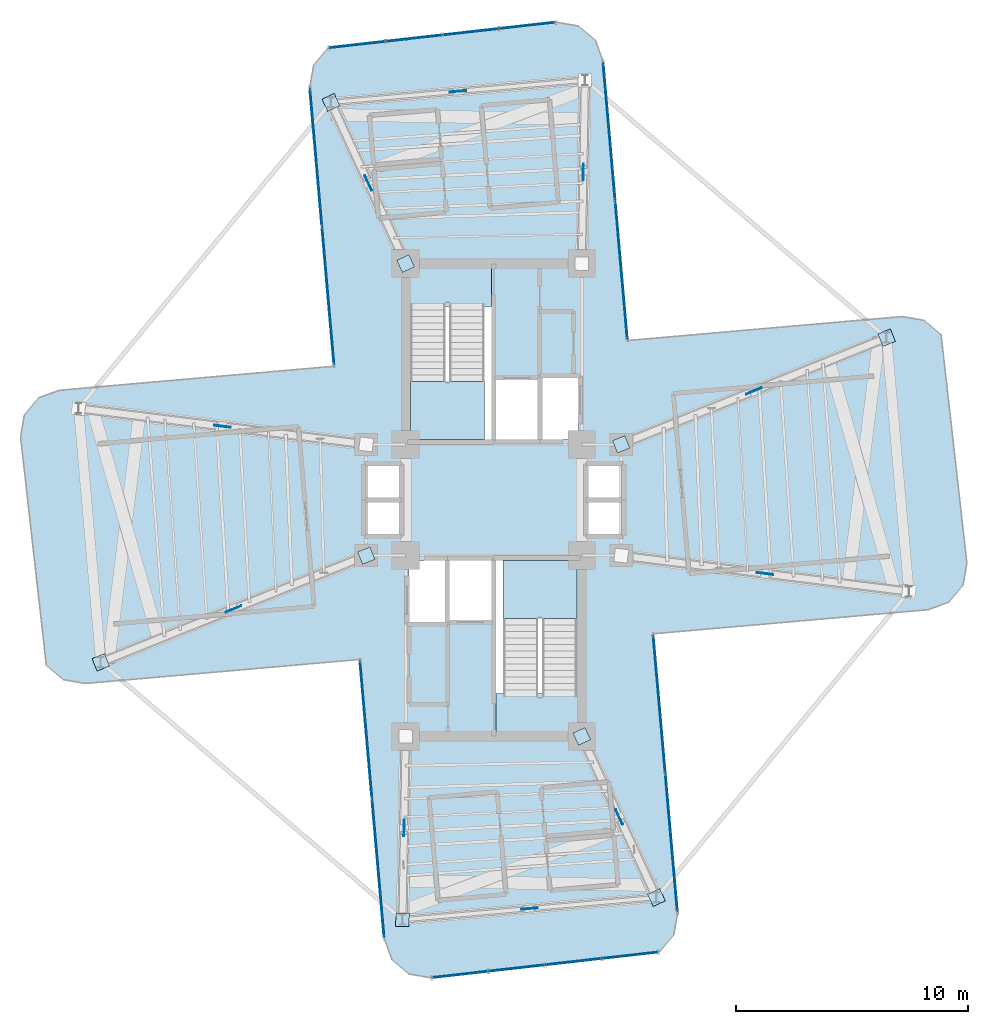
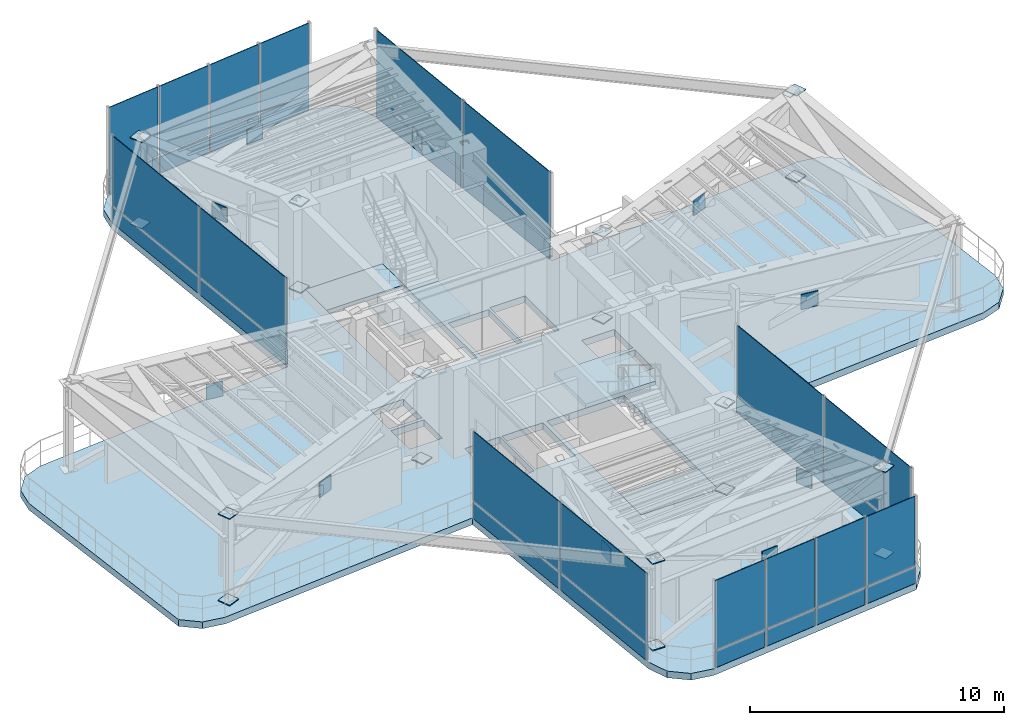
# One storey, part 12 of 17: 60 plates, 5 slabs, 8 elements without a shape of their own.
"""IFC4 building model written with IfcOpenShell, lengths in metres."""

from ifc_helpers import new_model, si_unit, direction, frame, origin, origin_2d, place, context, subcontext, project, spatial, polyline, rectangle, outline, extrude, source, transform, mapped, material, layer, layer_set, type_object, element, aggregate, save


model = new_model("IFC4")

# Units and contexts
model_context = context("Model", 3, precision=1e-05, world=origin(), true_north=direction((0.0, 1.0)))
body_context = subcontext(model_context, "Body", "Model", "MODEL_VIEW")
ifc_project = project(units=[si_unit("LENGTHUNIT", "METRE"), si_unit("AREAUNIT", "SQUARE_METRE"), si_unit("VOLUMEUNIT", "CUBIC_METRE"), si_unit("PLANEANGLEUNIT", "RADIAN"), si_unit("MASSUNIT", "GRAM", prefix="KILO")], contexts=[model_context])

# Site, building, storey
site_placement = place(None, origin())
site = spatial("IfcSite", under=ifc_project, at=site_placement, CompositionType="ELEMENT")
building_placement = place(site_placement, origin())
building = spatial("IfcBuilding", under=site, at=building_placement, Name="Sahyath Konkavel Grand Hotel", CompositionType="ELEMENT")
storey_placement = place(building_placement, frame((0.0, 0.0, 202.0)))
storey = spatial("IfcBuildingStorey", under=building, at=storey_placement, Name="L56", CompositionType="ELEMENT", Elevation=202.0)

# Slab
ifc_material_1 = material(Name="Concrete C50/60", Category="concrete")
ifc_layer_1 = layer(ifc_material_1, 0.320068359375)
ifc_layer_set_1 = layer_set([ifc_layer_1], Name="Concrete C50/60")
slab_type_1 = type_object("IfcSlabType", Name="SLB-320", PredefinedType="FLOOR", material=ifc_layer_set_1)
slab_1_placement = place(storey_placement, frame((0.0, 0.0, -0.320068359375)))
element("IfcSlab", 1, at=slab_1_placement, inside=storey, type_object=slab_type_1, Name="L56 Structural Floor Slab", PredefinedType="FLOOR", context=body_context, shape_type="SweptSolid", body=[
    extrude(outline(polyline([(6.87939453125, -5.7724609375), (18.73388671875, -4.735107421875), (19.6337890625, -4.40771484375), (20.24951171875, -3.674072265625), (20.415771484375, -2.73095703125), (19.3037109375, 7.134521484375), (18.5703125, 7.75), (17.627197265625, 7.91650390625), (5.7724609375, 6.87939453125), (4.7177734375, 18.93310546875), (4.390380859375, 19.8330078125), (3.65673828125, 20.44873046875), (2.713623046875, 20.614990234375), (-7.152099609375, 19.5029296875), (-7.767578125, 18.769287109375), (-7.933837890625, 17.826416015625), (-6.87939453125, 5.7724609375), (-18.73388671875, 4.735107421875), (-19.6337890625, 4.40771484375), (-20.24951171875, 3.674072265625), (-20.415771484375, 2.73095703125), (-19.3037109375, -7.134521484375), (-18.5703125, -7.75), (-17.627197265625, -7.91650390625), (-5.7724609375, -6.87939453125), (-4.7177734375, -18.93310546875), (-4.390380859375, -19.8330078125), (-3.65673828125, -20.44873046875), (-2.713623046875, -20.614990234375), (7.152099609375, -19.5029296875), (7.767578125, -18.769287109375), (7.933837890625, -17.826416015625), (6.87939453125, -5.7724609375)]), holes=[polyline([(-3.6201171875, 2.580078125), (-0.10009765625, 2.580078125), (-0.10009765625, 10.02001953125), (-3.6201171875, 10.02001953125), (-3.6201171875, 2.580078125)]), polyline([(0.10009765625, -10.02001953125), (3.6201171875, -10.02001953125), (3.6201171875, -2.580078125), (0.10009765625, -2.580078125), (0.10009765625, -10.02001953125)]), polyline([(0.10009765625, 2.60009765625), (1.949951171875, 2.60009765625), (1.949951171875, 5.199951171875), (0.10009765625, 5.199951171875), (0.10009765625, 2.60009765625)]), polyline([(-1.949951171875, -5.199951171875), (-0.10009765625, -5.199951171875), (-0.10009765625, -2.60009765625), (-1.949951171875, -2.60009765625), (-1.949951171875, -5.199951171875)]), polyline([(2.050048828125, 2.60009765625), (3.64990234375, 2.60009765625), (3.64990234375, 5.300048828125), (2.050048828125, 5.300048828125), (2.050048828125, 2.60009765625)]), polyline([(-3.64990234375, -5.300048828125), (-2.050048828125, -5.300048828125), (-2.050048828125, -2.60009765625), (-3.64990234375, -2.60009765625), (-3.64990234375, -5.300048828125)]), polyline([(4.050048828125, 0.080078125), (5.550048828125, 0.080078125), (5.550048828125, 1.5400390625), (4.050048828125, 1.5400390625), (4.050048828125, 0.080078125)]), polyline([(4.050048828125, -1.5400390625), (5.550048828125, -1.5400390625), (5.550048828125, -0.080078125), (4.050048828125, -0.080078125), (4.050048828125, -1.5400390625)]), polyline([(-5.550048828125, 0.080078125), (-4.050048828125, 0.080078125), (-4.050048828125, 1.5400390625), (-5.550048828125, 1.5400390625), (-5.550048828125, 0.080078125)]), polyline([(-5.550048828125, -1.5400390625), (-4.050048828125, -1.5400390625), (-4.050048828125, -0.080078125), (-5.550048828125, -0.080078125), (-5.550048828125, -1.5400390625)])]), origin(), (0.0, 0.0, 1.0), 0.320068359375),
])

# Stair, slab
ifc_material_2 = material(Name="Concrete C40/50", Category="concrete")
stair_type = type_object("IfcStairType", Name="STR-ST16-450", PredefinedType="HALF_TURN_STAIR", material=ifc_material_2)
stair_1_placement = place(storey_placement, origin())
stair_1 = element("IfcStair", 2, at=stair_1_placement, inside=storey, type_object=stair_type, Name="L56 North Core Smokeproof Exit Stair ST-1", PredefinedType="HALF_TURN_STAIR")
ifc_layer_2 = layer(ifc_material_2, 0.199951171875)
ifc_layer_set_2 = layer_set([ifc_layer_2], Name="Concrete C40/50")
slab_type_2 = type_object("IfcSlabType", Name="SLB-STAIR-LND", PredefinedType="LANDING", material=ifc_layer_set_2)
slab_2_placement = place(storey_placement, frame((0.0, 0.0, 2.050048828125)))
slab_2 = element("IfcSlab", 3, at=slab_2_placement, type_object=slab_type_2, Name="ST-1 landing 1", PredefinedType="LANDING", context=body_context, shape_type="SweptSolid", body=[
    extrude(outline(polyline([(-3.60009765625, 5.1201171875), (-3.60009765625, 2.60009765625), (-0.39990234375, 2.60009765625), (-0.39990234375, 5.1201171875), (-3.60009765625, 5.1201171875)])), origin(), (0.0, 0.0, 1.0), 0.199951171875),
])
aggregate(stair_1, [slab_2])

stair_2_placement = place(storey_placement, origin())
stair_2 = element("IfcStair", 4, at=stair_2_placement, inside=storey, type_object=stair_type, Name="L56 South Core Smokeproof Exit Stair ST-2", PredefinedType="HALF_TURN_STAIR")
slab_3_placement = place(storey_placement, frame((0.0, 0.0, 2.050048828125)))
slab_3 = element("IfcSlab", 5, at=slab_3_placement, type_object=slab_type_2, Name="ST-2 landing 1", PredefinedType="LANDING", context=body_context, shape_type="SweptSolid", body=[
    extrude(outline(polyline([(3.60009765625, -5.1201171875), (3.60009765625, -2.60009765625), (0.39990234375, -2.60009765625), (0.39990234375, -5.1201171875), (3.60009765625, -5.1201171875)])), origin(), (0.0, 0.0, 1.0), 0.199951171875),
])
aggregate(stair_2, [slab_3])

# Slabs
slab_4_placement = place(storey_placement, frame((0.0, 0.0, -0.199951171875)))
element("IfcSlab", 6, at=slab_4_placement, inside=storey, type_object=slab_type_2, Name="L56 Stair ST-1 Floor Landing Slab", PredefinedType="LANDING", context=body_context, shape_type="SweptSolid", body=[
    extrude(outline(polyline([(-3.6201171875, 8.35009765625), (-0.10009765625, 8.35009765625), (-0.10009765625, 10.02001953125), (-3.6201171875, 10.02001953125), (-3.6201171875, 8.35009765625)])), origin(), (0.0, 0.0, 1.0), 0.199951171875),
])
slab_5_placement = place(storey_placement, frame((0.0, 0.0, -0.199951171875)))
element("IfcSlab", 7, at=slab_5_placement, inside=storey, type_object=slab_type_2, Name="L56 Stair ST-2 Floor Landing Slab", PredefinedType="LANDING", context=body_context, shape_type="SweptSolid", body=[
    extrude(outline(polyline([(0.10009765625, -10.02001953125), (3.6201171875, -10.02001953125), (3.6201171875, -8.35009765625), (0.10009765625, -8.35009765625), (0.10009765625, -10.02001953125)])), origin(), (0.0, 0.0, 1.0), 0.199951171875),
])

# Plates
ifc_material_3 = material(Name="Steel E450", Category="steel")
plate_type_1 = type_object("IfcPlateType", Name="GUSSET-NODE-40", PredefinedType="USERDEFINED", material=ifc_material_3)
shared_shape_1 = source(origin(), body_context, "Body", "SweptSolid", [
    extrude(rectangle(XDim=0.719970703125, YDim=0.0400390625, at=origin_2d()), origin(), (0.0, 0.0, 1.0), 0.719970703125),
])
for number, where, z_axis, x_axis, name in (
    (8, (11.706298828125, -3.177001953125, 1.77001953125), (0.0, 0.0, 1.0), (0.992256248897, -0.124207634727, 0.0), "L56 Core Outrigger Truss EA X-Crossing Node Gusset Plate"),
    (9, (11.22705078125, 4.7021484375, 1.77001953125), (0.0, 0.0, 1.0), (0.927842763622, 0.372971588721, 0.0), "L56 Core Outrigger Truss EB X-Crossing Node Gusset Plate"),
    (10, (3.8681640625, 14.156005859375, 1.77001953125), (0.0, 0.0, 1.0), (0.017242998444, 0.999851328451, 0.0), "L56 Core Outrigger Truss NA X-Crossing Node Gusset Plate"),
    (11, (-5.410888671875, 13.6767578125, 1.77001953125), (0.0, 0.0, 1.0), (-0.420402474635, 0.907337731675, 0.0), "L56 Core Outrigger Truss NB X-Crossing Node Gusset Plate"),
    (12, (-11.706298828125, 3.177001953125, 1.77001953125), (0.0, 0.0, 1.0), (-0.992256248897, 0.124207634727, 0.0), "L56 Core Outrigger Truss WA X-Crossing Node Gusset Plate"),
    (13, (-11.22705078125, -4.7021484375, 1.77001953125), (0.0, 0.0, 1.0), (-0.927842763622, -0.372971588721, 0.0), "L56 Core Outrigger Truss WB X-Crossing Node Gusset Plate"),
    (14, (-3.8681640625, -14.156005859375, 1.77001953125), (0.0, 0.0, 1.0), (-0.017242998444, -0.999851328451, 0.0), "L56 Core Outrigger Truss SA X-Crossing Node Gusset Plate"),
    (15, (5.410888671875, -13.6767578125, 1.77001953125), (0.0, 0.0, 1.0), (0.420402474635, -0.907337731675, 0.0), "L56 Core Outrigger Truss SB X-Crossing Node Gusset Plate"),
    (16, (-1.542724609375, 17.632568359375, 1.77001953125), (0.0, 0.0, 1.0), (-0.996194698092, -0.087155742748, 0.0), "L56 Perimeter Belt Truss TIP-N X-Crossing Node Gusset Plate"),
    (17, (1.542724609375, -17.632568359375, 1.77001953125), (0.0, 0.0, 1.0), (0.996194698092, 0.087155742748, 0.0), "L56 Perimeter Belt Truss TIP-S X-Crossing Node Gusset Plate"),
):
    element("IfcPlate", number, at=place(storey_placement, frame(where, z_axis=z_axis, x_axis=x_axis)), inside=storey, type_object=plate_type_1, Name=name, ObjectType="GUSSET_PLATE", PredefinedType="USERDEFINED", context=body_context, shape_type="MappedRepresentation", body=[
        mapped(shared_shape_1, transform((0.0, 0.0, 0.0), scale=1.0)),
    ])
plate_type_2 = type_object("IfcPlateType", Name="GUSSET-END-35", PredefinedType="USERDEFINED", material=ifc_material_3)
shared_shape_2 = source(origin(), body_context, "Body", "SweptSolid", [
    extrude(rectangle(XDim=0.580078125, YDim=0.580078125, at=origin_2d()), origin(), (0.0, 0.0, 1.0), 0.044921875),
])
for number, where, z_axis, x_axis, name in (
    (18, (5.5, 2.39990234375, 0.027587890625), (0.0, 0.0, 1.0), (0.927842763622, 0.372971588721, 0.0), "L56 Core Outrigger Truss EB Cast-In Embed Gusset Plate BL"),
    (19, (5.5, 2.39990234375, 4.1875), (0.0, 0.0, 1.0), (0.927842763622, 0.372971588721, 0.0), "L56 Core Outrigger Truss EB Cast-In Embed Gusset Plate TL"),
    (20, (16.9541015625, 7.00439453125, 0.027587890625), (0.0, 0.0, 1.0), (0.927842763622, 0.372971588721, 0.0), "L56 Core Outrigger Truss EB Cast-In Embed Gusset Plate BR"),
    (21, (16.9541015625, 7.00439453125, 4.1875), (0.0, 0.0, 1.0), (0.927842763622, 0.372971588721, 0.0), "L56 Core Outrigger Truss EB Cast-In Embed Gusset Plate TR"),
    (22, (-3.800048828125, 10.199951171875, 0.027587890625), (0.0, 0.0, 1.0), (-0.420402474635, 0.907337731675, 0.0), "L56 Core Outrigger Truss NB Cast-In Embed Gusset Plate BL"),
    (23, (-3.800048828125, 10.199951171875, 4.1875), (0.0, 0.0, 1.0), (-0.420402474635, 0.907337731675, 0.0), "L56 Core Outrigger Truss NB Cast-In Embed Gusset Plate TL"),
    (24, (-7.021728515625, 17.1533203125, 0.027587890625), (0.0, 0.0, 1.0), (-0.420402474635, 0.907337731675, 0.0), "L56 Core Outrigger Truss NB Cast-In Embed Gusset Plate BR"),
    (25, (-7.021728515625, 17.1533203125, 4.1875), (0.0, 0.0, 1.0), (-0.420402474635, 0.907337731675, 0.0), "L56 Core Outrigger Truss NB Cast-In Embed Gusset Plate TR"),
    (26, (-5.5, -2.39990234375, 0.027587890625), (0.0, 0.0, 1.0), (-0.927842763622, -0.372971588721, 0.0), "L56 Core Outrigger Truss WB Cast-In Embed Gusset Plate BL"),
    (27, (-5.5, -2.39990234375, 4.1875), (0.0, 0.0, 1.0), (-0.927842763622, -0.372971588721, 0.0), "L56 Core Outrigger Truss WB Cast-In Embed Gusset Plate TL"),
    (28, (-16.9541015625, -7.00439453125, 0.027587890625), (0.0, 0.0, 1.0), (-0.927842763622, -0.372971588721, 0.0), "L56 Core Outrigger Truss WB Cast-In Embed Gusset Plate BR"),
    (29, (-16.9541015625, -7.00439453125, 4.1875), (0.0, 0.0, 1.0), (-0.927842763622, -0.372971588721, 0.0), "L56 Core Outrigger Truss WB Cast-In Embed Gusset Plate TR"),
    (30, (-3.936279296875, -18.112060546875, 0.027587890625), (0.0, 0.0, 1.0), (-0.017242998444, -0.999851328451, 0.0), "L56 Core Outrigger Truss SA Cast-In Embed Gusset Plate BR"),
    (31, (-3.936279296875, -18.112060546875, 4.1875), (0.0, 0.0, 1.0), (-0.017242998444, -0.999851328451, 0.0), "L56 Core Outrigger Truss SA Cast-In Embed Gusset Plate TR"),
    (32, (3.800048828125, -10.199951171875, 0.027587890625), (0.0, 0.0, 1.0), (0.420402474635, -0.907337731675, 0.0), "L56 Core Outrigger Truss SB Cast-In Embed Gusset Plate BL"),
    (33, (3.800048828125, -10.199951171875, 4.1875), (0.0, 0.0, 1.0), (0.420402474635, -0.907337731675, 0.0), "L56 Core Outrigger Truss SB Cast-In Embed Gusset Plate TL"),
    (34, (7.021728515625, -17.1533203125, 0.027587890625), (0.0, 0.0, 1.0), (0.420402474635, -0.907337731675, 0.0), "L56 Core Outrigger Truss SB Cast-In Embed Gusset Plate BR"),
    (35, (7.021728515625, -17.1533203125, 4.1875), (0.0, 0.0, 1.0), (0.420402474635, -0.907337731675, 0.0), "L56 Core Outrigger Truss SB Cast-In Embed Gusset Plate TR"),
):
    element("IfcPlate", number, at=place(storey_placement, frame(where, z_axis=z_axis, x_axis=x_axis)), inside=storey, type_object=plate_type_2, Name=name, ObjectType="GUSSET_PLATE", PredefinedType="USERDEFINED", context=body_context, shape_type="MappedRepresentation", body=[
        mapped(shared_shape_2, transform((0.0, 0.0, 0.0), scale=1.0)),
    ])

# Curtain wall, plates
ifc_material_4 = material(Name="Anodised Bronze Aluminium & Low-E Glazing", Category="aluminium")
curtain_wall_type = type_object("IfcCurtainWallType", Name="CW-SKYLOBBY", PredefinedType="NOTDEFINED", material=ifc_material_4)
curtain_wall_1_placement = place(storey_placement, origin())
curtain_wall_1 = element("IfcCurtainWall", 36, at=curtain_wall_1_placement, inside=storey, type_object=curtain_wall_type, Name="L56 Unitised Curtain Wall RF12", PredefinedType="NOTDEFINED")
ifc_material_5 = material(Name="Warm Buff Sandstone Cladding", Category="masonry")
ifc_layer_3 = layer(ifc_material_5, 0.074951171875)
ifc_layer_set_3 = layer_set([ifc_layer_3], Name="Warm Buff Sandstone Cladding")
plate_type_3 = type_object("IfcPlateType", Name="PNL-SPANDREL-STONE", PredefinedType="SHEET", material=ifc_layer_set_3)
shared_shape_3 = source(origin(), body_context, "Body", "SweptSolid", [
    extrude(rectangle(XDim=2.382080078125, YDim=0.074951171875, at=origin_2d()), origin(), (0.0, 0.0, 1.0), 0.77001953125),
])
plate_1_placement = place(storey_placement, frame((1.45068359375, 20.47265625, 0.0400390625), z_axis=(0.0, 0.0, 1.0), x_axis=(-0.993707463211, -0.112006596052, 0.0)))
plate_1 = element("IfcPlate", 37, at=plate_1_placement, type_object=plate_type_3, Name="L56 Sandstone Relief Spandrel Panel RF12-0", PredefinedType="SHEET", context=body_context, shape_type="MappedRepresentation", body=[
    mapped(shared_shape_3, transform((0.0, 0.0, 0.0), scale=1.0)),
])
plate_2_placement = place(storey_placement, frame((-0.995849609375, 20.197021484375, 0.0400390625), z_axis=(0.0, 0.0, 1.0), x_axis=(-0.993707463211, -0.112006596052, 0.0)))
plate_2 = element("IfcPlate", 38, at=plate_2_placement, type_object=plate_type_3, Name="L56 Sandstone Relief Spandrel Panel RF12-1", PredefinedType="SHEET", context=body_context, shape_type="MappedRepresentation", body=[
    mapped(shared_shape_3, transform((0.0, 0.0, 0.0), scale=1.0)),
])
plate_3_placement = place(storey_placement, frame((-3.4423828125, 19.921142578125, 0.0400390625), z_axis=(0.0, 0.0, 1.0), x_axis=(-0.993707463211, -0.112006596052, 0.0)))
plate_3 = element("IfcPlate", 39, at=plate_3_placement, type_object=plate_type_3, Name="L56 Sandstone Relief Spandrel Panel RF12-2", PredefinedType="SHEET", context=body_context, shape_type="MappedRepresentation", body=[
    mapped(shared_shape_3, transform((0.0, 0.0, 0.0), scale=1.0)),
])
plate_4_placement = place(storey_placement, frame((-5.888916015625, 19.6455078125, 0.0400390625), z_axis=(0.0, 0.0, 1.0), x_axis=(-0.993707463211, -0.112006596052, 0.0)))
plate_4 = element("IfcPlate", 40, at=plate_4_placement, type_object=plate_type_3, Name="L56 Sandstone Relief Spandrel Panel RF12-3", PredefinedType="SHEET", context=body_context, shape_type="MappedRepresentation", body=[
    mapped(shared_shape_3, transform((0.0, 0.0, 0.0), scale=1.0)),
])

curtain_wall_2_placement = place(storey_placement, origin())
curtain_wall_2 = element("IfcCurtainWall", 41, at=curtain_wall_2_placement, inside=storey, type_object=curtain_wall_type, Name="L56 Unitised Curtain Wall RF28", PredefinedType="NOTDEFINED")
plate_5_placement = place(storey_placement, frame((-1.45068359375, -20.47265625, 0.0400390625), z_axis=(0.0, 0.0, 1.0), x_axis=(0.993707463211, 0.112006596052, 0.0)))
plate_5 = element("IfcPlate", 42, at=plate_5_placement, type_object=plate_type_3, Name="L56 Sandstone Relief Spandrel Panel RF28-0", PredefinedType="SHEET", context=body_context, shape_type="MappedRepresentation", body=[
    mapped(shared_shape_3, transform((0.0, 0.0, 0.0), scale=1.0)),
])
plate_6_placement = place(storey_placement, frame((0.995849609375, -20.197021484375, 0.0400390625), z_axis=(0.0, 0.0, 1.0), x_axis=(0.993707463211, 0.112006596052, 0.0)))
plate_6 = element("IfcPlate", 43, at=plate_6_placement, type_object=plate_type_3, Name="L56 Sandstone Relief Spandrel Panel RF28-1", PredefinedType="SHEET", context=body_context, shape_type="MappedRepresentation", body=[
    mapped(shared_shape_3, transform((0.0, 0.0, 0.0), scale=1.0)),
])
plate_7_placement = place(storey_placement, frame((3.4423828125, -19.921142578125, 0.0400390625), z_axis=(0.0, 0.0, 1.0), x_axis=(0.993707463211, 0.112006596052, 0.0)))
plate_7 = element("IfcPlate", 44, at=plate_7_placement, type_object=plate_type_3, Name="L56 Sandstone Relief Spandrel Panel RF28-2", PredefinedType="SHEET", context=body_context, shape_type="MappedRepresentation", body=[
    mapped(shared_shape_3, transform((0.0, 0.0, 0.0), scale=1.0)),
])
plate_8_placement = place(storey_placement, frame((5.888916015625, -19.6455078125, 0.0400390625), z_axis=(0.0, 0.0, 1.0), x_axis=(0.993707463211, 0.112006596052, 0.0)))
plate_8 = element("IfcPlate", 45, at=plate_8_placement, type_object=plate_type_3, Name="L56 Sandstone Relief Spandrel Panel RF28-3", PredefinedType="SHEET", context=body_context, shape_type="MappedRepresentation", body=[
    mapped(shared_shape_3, transform((0.0, 0.0, 0.0), scale=1.0)),
])

# Plate
ifc_material_6 = material(Name="Warm Buff Sandstone Perforated Cladding", Category="masonry")
ifc_layer_4 = layer(ifc_material_6, 0.090087890625)
ifc_layer_set_4 = layer_set([ifc_layer_4], Name="Warm Buff Sandstone Perforated Cladding")
plate_type_4 = type_object("IfcPlateType", Name="PNL-CROWN-LOUVRE", PredefinedType="SHEET", material=ifc_layer_set_4)
shared_shape_4 = source(origin(), body_context, "Body", "SweptSolid", [
    extrude(rectangle(XDim=2.382080078125, YDim=0.035888671875, at=origin_2d()), origin(), (0.0, 0.0, 1.0), 3.330078125),
])
plate_9_placement = place(storey_placement, frame((1.45068359375, 20.47265625, 0.889892578125), z_axis=(0.0, 0.0, 1.0), x_axis=(-0.993707463211, -0.112006596052, 0.0)))
plate_9 = element("IfcPlate", 46, at=plate_9_placement, type_object=plate_type_4, Name="L56 Acoustic Plant Louvre Screen RF12-0", PredefinedType="SHEET", context=body_context, shape_type="MappedRepresentation", body=[
    mapped(shared_shape_4, transform((0.0, 0.0, 0.0), scale=1.0)),
])

plate_10_placement = place(storey_placement, frame((-0.995849609375, 20.197021484375, 0.889892578125), z_axis=(0.0, 0.0, 1.0), x_axis=(-0.993707463211, -0.112006596052, 0.0)))
plate_10 = element("IfcPlate", 47, at=plate_10_placement, type_object=plate_type_4, Name="L56 Acoustic Plant Louvre Screen RF12-1", PredefinedType="SHEET", context=body_context, shape_type="MappedRepresentation", body=[
    mapped(shared_shape_4, transform((0.0, 0.0, 0.0), scale=1.0)),
])

plate_11_placement = place(storey_placement, frame((-3.4423828125, 19.921142578125, 0.889892578125), z_axis=(0.0, 0.0, 1.0), x_axis=(-0.993707463211, -0.112006596052, 0.0)))
plate_11 = element("IfcPlate", 48, at=plate_11_placement, type_object=plate_type_4, Name="L56 Acoustic Plant Louvre Screen RF12-2", PredefinedType="SHEET", context=body_context, shape_type="MappedRepresentation", body=[
    mapped(shared_shape_4, transform((0.0, 0.0, 0.0), scale=1.0)),
])

plate_12_placement = place(storey_placement, frame((-5.888916015625, 19.6455078125, 0.889892578125), z_axis=(0.0, 0.0, 1.0), x_axis=(-0.993707463211, -0.112006596052, 0.0)))
plate_12 = element("IfcPlate", 49, at=plate_12_placement, type_object=plate_type_4, Name="L56 Acoustic Plant Louvre Screen RF12-3", PredefinedType="SHEET", context=body_context, shape_type="MappedRepresentation", body=[
    mapped(shared_shape_4, transform((0.0, 0.0, 0.0), scale=1.0)),
])

aggregate(curtain_wall_1, [plate_1, plate_9, plate_2, plate_10, plate_3, plate_11, plate_4, plate_12])

plate_13_placement = place(storey_placement, frame((-1.45068359375, -20.47265625, 0.889892578125), z_axis=(0.0, 0.0, 1.0), x_axis=(0.993707463211, 0.112006596052, 0.0)))
plate_13 = element("IfcPlate", 50, at=plate_13_placement, type_object=plate_type_4, Name="L56 Acoustic Plant Louvre Screen RF28-0", PredefinedType="SHEET", context=body_context, shape_type="MappedRepresentation", body=[
    mapped(shared_shape_4, transform((0.0, 0.0, 0.0), scale=1.0)),
])

plate_14_placement = place(storey_placement, frame((0.995849609375, -20.197021484375, 0.889892578125), z_axis=(0.0, 0.0, 1.0), x_axis=(0.993707463211, 0.112006596052, 0.0)))
plate_14 = element("IfcPlate", 51, at=plate_14_placement, type_object=plate_type_4, Name="L56 Acoustic Plant Louvre Screen RF28-1", PredefinedType="SHEET", context=body_context, shape_type="MappedRepresentation", body=[
    mapped(shared_shape_4, transform((0.0, 0.0, 0.0), scale=1.0)),
])

plate_15_placement = place(storey_placement, frame((3.4423828125, -19.921142578125, 0.889892578125), z_axis=(0.0, 0.0, 1.0), x_axis=(0.993707463211, 0.112006596052, 0.0)))
plate_15 = element("IfcPlate", 52, at=plate_15_placement, type_object=plate_type_4, Name="L56 Acoustic Plant Louvre Screen RF28-2", PredefinedType="SHEET", context=body_context, shape_type="MappedRepresentation", body=[
    mapped(shared_shape_4, transform((0.0, 0.0, 0.0), scale=1.0)),
])

plate_16_placement = place(storey_placement, frame((5.888916015625, -19.6455078125, 0.889892578125), z_axis=(0.0, 0.0, 1.0), x_axis=(0.993707463211, 0.112006596052, 0.0)))
plate_16 = element("IfcPlate", 53, at=plate_16_placement, type_object=plate_type_4, Name="L56 Acoustic Plant Louvre Screen RF28-3", PredefinedType="SHEET", context=body_context, shape_type="MappedRepresentation", body=[
    mapped(shared_shape_4, transform((0.0, 0.0, 0.0), scale=1.0)),
])

aggregate(curtain_wall_2, [plate_5, plate_13, plate_6, plate_14, plate_7, plate_15, plate_8, plate_16])

# Curtain wall, plates
curtain_wall_3_placement = place(storey_placement, origin())
curtain_wall_3 = element("IfcCurtainWall", 54, at=curtain_wall_3_placement, inside=storey, type_object=curtain_wall_type, Name="L56 Unitised Curtain Wall RF8", PredefinedType="NOTDEFINED")
shared_shape_5 = source(origin(), body_context, "Body", "SweptSolid", [
    extrude(rectangle(XDim=5.929931640625, YDim=0.074951171875, at=origin_2d()), origin(), (0.0, 0.0, 1.0), 0.77001953125),
])
plate_17_placement = place(storey_placement, frame((5.507080078125, 9.91259765625, 0.0400390625), z_axis=(0.0, 0.0, 1.0), x_axis=(-0.087155742748, 0.996194698092, 0.0)))
plate_17 = element("IfcPlate", 55, at=plate_17_placement, type_object=plate_type_3, Name="L56 Sandstone Relief Spandrel Panel RF8-0", PredefinedType="SHEET", context=body_context, shape_type="MappedRepresentation", body=[
    mapped(shared_shape_5, transform((0.0, 0.0, 0.0), scale=1.0)),
])
plate_18_placement = place(storey_placement, frame((4.983154296875, 15.89990234375, 0.0400390625), z_axis=(0.0, 0.0, 1.0), x_axis=(-0.087155742748, 0.996194698092, 0.0)))
plate_18 = element("IfcPlate", 56, at=plate_18_placement, type_object=plate_type_3, Name="L56 Sandstone Relief Spandrel Panel RF8-1", PredefinedType="SHEET", context=body_context, shape_type="MappedRepresentation", body=[
    mapped(shared_shape_5, transform((0.0, 0.0, 0.0), scale=1.0)),
])

curtain_wall_4_placement = place(storey_placement, origin())
curtain_wall_4 = element("IfcCurtainWall", 57, at=curtain_wall_4_placement, inside=storey, type_object=curtain_wall_type, Name="L56 Unitised Curtain Wall RF15", PredefinedType="NOTDEFINED")
plate_19_placement = place(storey_placement, frame((-7.66845703125, 14.79296875, 0.0400390625), z_axis=(0.0, 0.0, 1.0), x_axis=(0.087155742748, -0.996194698092, 0.0)))
plate_19 = element("IfcPlate", 58, at=plate_19_placement, type_object=plate_type_3, Name="L56 Sandstone Relief Spandrel Panel RF15-0", PredefinedType="SHEET", context=body_context, shape_type="MappedRepresentation", body=[
    mapped(shared_shape_5, transform((0.0, 0.0, 0.0), scale=1.0)),
])
plate_20_placement = place(storey_placement, frame((-7.144775390625, 8.805908203125, 0.0400390625), z_axis=(0.0, 0.0, 1.0), x_axis=(0.087155742748, -0.996194698092, 0.0)))
plate_20 = element("IfcPlate", 59, at=plate_20_placement, type_object=plate_type_3, Name="L56 Sandstone Relief Spandrel Panel RF15-1", PredefinedType="SHEET", context=body_context, shape_type="MappedRepresentation", body=[
    mapped(shared_shape_5, transform((0.0, 0.0, 0.0), scale=1.0)),
])

curtain_wall_5_placement = place(storey_placement, origin())
curtain_wall_5 = element("IfcCurtainWall", 60, at=curtain_wall_5_placement, inside=storey, type_object=curtain_wall_type, Name="L56 Unitised Curtain Wall RF24", PredefinedType="NOTDEFINED")
plate_21_placement = place(storey_placement, frame((-5.507080078125, -9.91259765625, 0.0400390625), z_axis=(0.0, 0.0, 1.0), x_axis=(0.087155742748, -0.996194698092, 0.0)))
plate_21 = element("IfcPlate", 61, at=plate_21_placement, type_object=plate_type_3, Name="L56 Sandstone Relief Spandrel Panel RF24-0", PredefinedType="SHEET", context=body_context, shape_type="MappedRepresentation", body=[
    mapped(shared_shape_5, transform((0.0, 0.0, 0.0), scale=1.0)),
])
plate_22_placement = place(storey_placement, frame((-4.983154296875, -15.89990234375, 0.0400390625), z_axis=(0.0, 0.0, 1.0), x_axis=(0.087155742748, -0.996194698092, 0.0)))
plate_22 = element("IfcPlate", 62, at=plate_22_placement, type_object=plate_type_3, Name="L56 Sandstone Relief Spandrel Panel RF24-1", PredefinedType="SHEET", context=body_context, shape_type="MappedRepresentation", body=[
    mapped(shared_shape_5, transform((0.0, 0.0, 0.0), scale=1.0)),
])

curtain_wall_6_placement = place(storey_placement, origin())
curtain_wall_6 = element("IfcCurtainWall", 63, at=curtain_wall_6_placement, inside=storey, type_object=curtain_wall_type, Name="L56 Unitised Curtain Wall RF31", PredefinedType="NOTDEFINED")
plate_23_placement = place(storey_placement, frame((7.66845703125, -14.79296875, 0.0400390625), z_axis=(0.0, 0.0, 1.0), x_axis=(-0.087155742748, 0.996194698092, 0.0)))
plate_23 = element("IfcPlate", 64, at=plate_23_placement, type_object=plate_type_3, Name="L56 Sandstone Relief Spandrel Panel RF31-0", PredefinedType="SHEET", context=body_context, shape_type="MappedRepresentation", body=[
    mapped(shared_shape_5, transform((0.0, 0.0, 0.0), scale=1.0)),
])
plate_24_placement = place(storey_placement, frame((7.144775390625, -8.805908203125, 0.0400390625), z_axis=(0.0, 0.0, 1.0), x_axis=(-0.087155742748, 0.996194698092, 0.0)))
plate_24 = element("IfcPlate", 65, at=plate_24_placement, type_object=plate_type_3, Name="L56 Sandstone Relief Spandrel Panel RF31-1", PredefinedType="SHEET", context=body_context, shape_type="MappedRepresentation", body=[
    mapped(shared_shape_5, transform((0.0, 0.0, 0.0), scale=1.0)),
])

# Plate
shared_shape_6 = source(origin(), body_context, "Body", "SweptSolid", [
    extrude(rectangle(XDim=5.929931640625, YDim=0.035888671875, at=origin_2d()), origin(), (0.0, 0.0, 1.0), 3.330078125),
])
plate_25_placement = place(storey_placement, frame((5.507080078125, 9.91259765625, 0.889892578125), z_axis=(0.0, 0.0, 1.0), x_axis=(-0.087155742748, 0.996194698092, 0.0)))
plate_25 = element("IfcPlate", 66, at=plate_25_placement, type_object=plate_type_4, Name="L56 Acoustic Plant Louvre Screen RF8-0", PredefinedType="SHEET", context=body_context, shape_type="MappedRepresentation", body=[
    mapped(shared_shape_6, transform((0.0, 0.0, 0.0), scale=1.0)),
])

plate_26_placement = place(storey_placement, frame((4.983154296875, 15.89990234375, 0.889892578125), z_axis=(0.0, 0.0, 1.0), x_axis=(-0.087155742748, 0.996194698092, 0.0)))
plate_26 = element("IfcPlate", 67, at=plate_26_placement, type_object=plate_type_4, Name="L56 Acoustic Plant Louvre Screen RF8-1", PredefinedType="SHEET", context=body_context, shape_type="MappedRepresentation", body=[
    mapped(shared_shape_6, transform((0.0, 0.0, 0.0), scale=1.0)),
])

aggregate(curtain_wall_3, [plate_17, plate_25, plate_18, plate_26])

plate_27_placement = place(storey_placement, frame((-7.66845703125, 14.79296875, 0.889892578125), z_axis=(0.0, 0.0, 1.0), x_axis=(0.087155742748, -0.996194698092, 0.0)))
plate_27 = element("IfcPlate", 68, at=plate_27_placement, type_object=plate_type_4, Name="L56 Acoustic Plant Louvre Screen RF15-0", PredefinedType="SHEET", context=body_context, shape_type="MappedRepresentation", body=[
    mapped(shared_shape_6, transform((0.0, 0.0, 0.0), scale=1.0)),
])

plate_28_placement = place(storey_placement, frame((-7.144775390625, 8.805908203125, 0.889892578125), z_axis=(0.0, 0.0, 1.0), x_axis=(0.087155742748, -0.996194698092, 0.0)))
plate_28 = element("IfcPlate", 69, at=plate_28_placement, type_object=plate_type_4, Name="L56 Acoustic Plant Louvre Screen RF15-1", PredefinedType="SHEET", context=body_context, shape_type="MappedRepresentation", body=[
    mapped(shared_shape_6, transform((0.0, 0.0, 0.0), scale=1.0)),
])

aggregate(curtain_wall_4, [plate_19, plate_27, plate_20, plate_28])

plate_29_placement = place(storey_placement, frame((-5.507080078125, -9.91259765625, 0.889892578125), z_axis=(0.0, 0.0, 1.0), x_axis=(0.087155742748, -0.996194698092, 0.0)))
plate_29 = element("IfcPlate", 70, at=plate_29_placement, type_object=plate_type_4, Name="L56 Acoustic Plant Louvre Screen RF24-0", PredefinedType="SHEET", context=body_context, shape_type="MappedRepresentation", body=[
    mapped(shared_shape_6, transform((0.0, 0.0, 0.0), scale=1.0)),
])

plate_30_placement = place(storey_placement, frame((-4.983154296875, -15.89990234375, 0.889892578125), z_axis=(0.0, 0.0, 1.0), x_axis=(0.087155742748, -0.996194698092, 0.0)))
plate_30 = element("IfcPlate", 71, at=plate_30_placement, type_object=plate_type_4, Name="L56 Acoustic Plant Louvre Screen RF24-1", PredefinedType="SHEET", context=body_context, shape_type="MappedRepresentation", body=[
    mapped(shared_shape_6, transform((0.0, 0.0, 0.0), scale=1.0)),
])

aggregate(curtain_wall_5, [plate_21, plate_29, plate_22, plate_30])

plate_31_placement = place(storey_placement, frame((7.66845703125, -14.79296875, 0.889892578125), z_axis=(0.0, 0.0, 1.0), x_axis=(-0.087155742748, 0.996194698092, 0.0)))
plate_31 = element("IfcPlate", 72, at=plate_31_placement, type_object=plate_type_4, Name="L56 Acoustic Plant Louvre Screen RF31-0", PredefinedType="SHEET", context=body_context, shape_type="MappedRepresentation", body=[
    mapped(shared_shape_6, transform((0.0, 0.0, 0.0), scale=1.0)),
])

plate_32_placement = place(storey_placement, frame((7.144775390625, -8.805908203125, 0.889892578125), z_axis=(0.0, 0.0, 1.0), x_axis=(-0.087155742748, 0.996194698092, 0.0)))
plate_32 = element("IfcPlate", 73, at=plate_32_placement, type_object=plate_type_4, Name="L56 Acoustic Plant Louvre Screen RF31-1", PredefinedType="SHEET", context=body_context, shape_type="MappedRepresentation", body=[
    mapped(shared_shape_6, transform((0.0, 0.0, 0.0), scale=1.0)),
])

aggregate(curtain_wall_6, [plate_23, plate_31, plate_24, plate_32])

save(model, "model.ifc")
